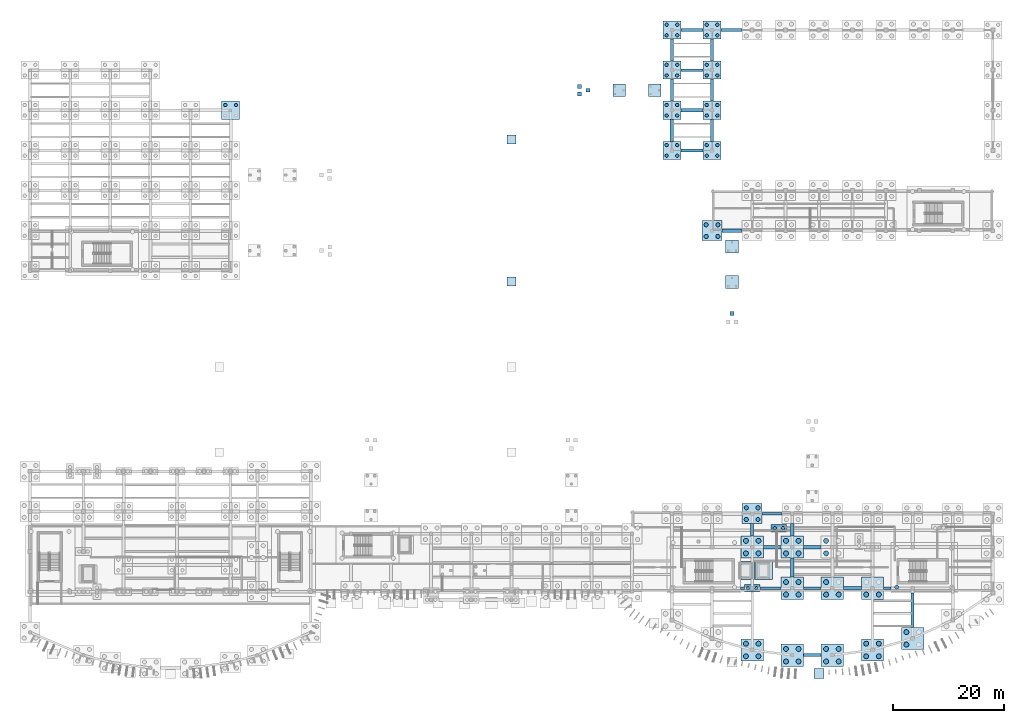
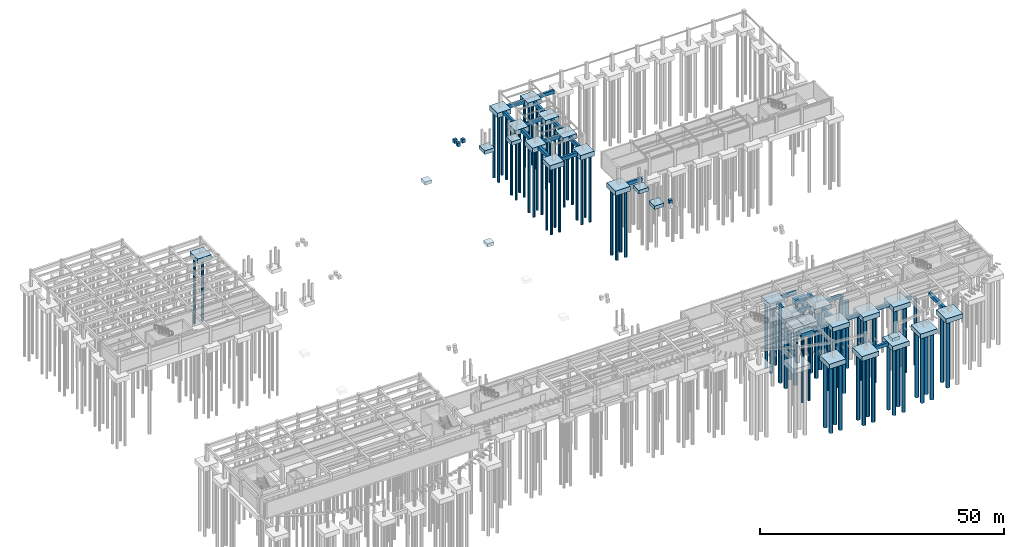
# One storey, part 5 of 31: 84 piles, 61 footings.
"""IFC4 building model written with IfcOpenShell, lengths in metres."""

from ifc_helpers import new_model, si_unit, direction, frame, origin, origin_2d, place, context, subcontext, project, spatial, rectangle, circle, extrude, material, material_profile, profile_set, type_object, element, save


model = new_model("IFC4")

# Units and contexts
model_context = context("Model", 3, precision=1e-05, world=origin(), true_north=direction((0.0, 1.0)))
body_context = subcontext(model_context, "Body", "Model", "MODEL_VIEW")
ifc_project = project(units=[si_unit("LENGTHUNIT", "METRE"), si_unit("AREAUNIT", "SQUARE_METRE"), si_unit("VOLUMEUNIT", "CUBIC_METRE"), si_unit("PLANEANGLEUNIT", "RADIAN"), si_unit("MASSUNIT", "GRAM", prefix="KILO")], contexts=[model_context])

# Site, building, storey
site_placement = place(None, origin())
site = spatial("IfcSite", under=ifc_project, at=site_placement, CompositionType="ELEMENT")
building_placement = place(site_placement, origin())
building = spatial("IfcBuilding", under=site, at=building_placement, Name="Brisavento Harbour Community Centre", CompositionType="ELEMENT")
storey_placement = place(building_placement, frame((0.0, 0.0, -4.199951171875)))
storey = spatial("IfcBuildingStorey", under=building, at=storey_placement, Name="B1", CompositionType="ELEMENT", Elevation=-4.199951171875)

# Footings
ifc_material = material(Name="Concrete C35/45", Category="concrete")
footing_type_1 = type_object("IfcFootingType", Name="FTG-GB-01", PredefinedType="FOOTING_BEAM", material=ifc_material)
footing_1_placement = place(storey_placement, frame((127.85009765625, 15.0, -0.89990234375), z_axis=(0.0, 0.0, 1.0), x_axis=(1.0, 0.0, 0.0)))
element("IfcFooting", 1, at=footing_1_placement, inside=storey, type_object=footing_type_1, Name="Ground tie beam GB-072", PredefinedType="FOOTING_BEAM", context=body_context, shape_type="SweptSolid", body=[
    extrude(rectangle(XDim=0.699951171875, YDim=0.5, at=origin_2d()), origin(), (0.0, 0.0, 1.0), 0.89990234375),
])
footing_2_placement = place(storey_placement, frame((132.89990234375, 15.0, -0.89990234375), z_axis=(0.0, 0.0, 1.0), x_axis=(1.0, 0.0, 0.0)))
element("IfcFooting", 2, at=footing_2_placement, inside=storey, type_object=footing_type_1, Name="Ground tie beam GB-075", PredefinedType="FOOTING_BEAM", context=body_context, shape_type="SweptSolid", body=[
    extrude(rectangle(XDim=3.800048828125, YDim=0.5, at=origin_2d()), origin(), (0.0, 0.0, 1.0), 0.89990234375),
])
footing_3_placement = place(storey_placement, frame((133.199951171875, 28.39990234375, -0.89990234375), z_axis=(0.0, 0.0, 1.0), x_axis=(1.0, 0.0, 0.0)))
element("IfcFooting", 3, at=footing_3_placement, inside=storey, type_object=footing_type_1, Name="Ground tie beam GB-078", PredefinedType="FOOTING_BEAM", context=body_context, shape_type="SweptSolid", body=[
    extrude(rectangle(XDim=3.60009765625, YDim=0.5, at=origin_2d()), origin(), (0.0, 0.0, 1.0), 0.89990234375),
])
footing_4_placement = place(storey_placement, frame((140.39990234375, 15.0, -0.89990234375), z_axis=(0.0, 0.0, 1.0), x_axis=(1.0, 0.0, 0.0)))
element("IfcFooting", 4, at=footing_4_placement, inside=storey, type_object=footing_type_1, Name="Ground tie beam GB-081", PredefinedType="FOOTING_BEAM", context=body_context, shape_type="SweptSolid", body=[
    extrude(rectangle(XDim=3.199951171875, YDim=0.5, at=origin_2d()), origin(), (0.0, 0.0, 1.0), 0.89990234375),
])
footing_5_placement = place(storey_placement, frame((153.85009765625, 15.0, -0.89990234375), z_axis=(0.0, 0.0, 1.0), x_axis=(1.0, 0.0, 0.0)))
element("IfcFooting", 5, at=footing_5_placement, inside=storey, type_object=footing_type_1, Name="Ground tie beam GB-090", PredefinedType="FOOTING_BEAM", context=body_context, shape_type="SweptSolid", body=[
    extrude(rectangle(XDim=1.300048828125, YDim=0.5, at=origin_2d()), origin(), (0.0, 0.0, 1.0), 0.89990234375),
])
footing_6_placement = place(storey_placement, frame((125.91259765625, 115.199951171875, -0.89990234375), z_axis=(0.0, 0.0, 1.0), x_axis=(1.0, 0.0, 0.0)))
element("IfcFooting", 6, at=footing_6_placement, inside=storey, type_object=footing_type_1, Name="Ground tie beam GB-108", PredefinedType="FOOTING_BEAM", context=body_context, shape_type="SweptSolid", body=[
    extrude(rectangle(XDim=3.77490234375, YDim=0.5, at=origin_2d()), origin(), (0.0, 0.0, 1.0), 0.89990234375),
])
for number, where, z_axis, x_axis, name in (
    (7, (122.39990234375, 97.199951171875, -0.89990234375), (0.0, 0.0, 1.0), (1.0, 0.0, 0.0), "Ground tie beam GB-132"),
    (8, (115.199951171875, 104.39990234375, -0.89990234375), (0.0, 0.0, 1.0), (1.0, 0.0, 0.0), "Ground tie beam GB-135"),
):
    element("IfcFooting", number, at=place(storey_placement, frame(where, z_axis=z_axis, x_axis=x_axis)), inside=storey, type_object=footing_type_1, Name=name, PredefinedType="FOOTING_BEAM", context=body_context, shape_type="SweptSolid", body=[
        extrude(rectangle(XDim=0.5, YDim=3.949951171875, at=origin_2d()), origin(), (0.0, 0.0, 1.0), 0.89990234375),
    ])
footing_7_placement = place(storey_placement, frame((118.800048828125, 108.0, -0.89990234375), z_axis=(0.0, 0.0, 1.0), x_axis=(1.0, 0.0, 0.0)))
element("IfcFooting", 9, at=footing_7_placement, inside=storey, type_object=footing_type_1, Name="Ground tie beam GB-138", PredefinedType="FOOTING_BEAM", context=body_context, shape_type="SweptSolid", body=[
    extrude(rectangle(XDim=3.949951171875, YDim=0.5, at=origin_2d()), origin(), (0.0, 0.0, 1.0), 0.89990234375),
])
footing_type_2 = type_object("IfcFootingType", Name="FTG-GB-02", PredefinedType="FOOTING_BEAM", material=ifc_material)
footing_8_placement = place(storey_placement, frame((129.60009765625, 25.5, -0.89990234375), z_axis=(0.0, 0.0, 1.0), x_axis=(1.0, 0.0, 0.0)))
element("IfcFooting", 10, at=footing_8_placement, inside=storey, type_object=footing_type_2, Name="Ground tie beam GB-076", PredefinedType="FOOTING_BEAM", context=body_context, shape_type="SweptSolid", body=[
    extrude(rectangle(XDim=0.550048828125, YDim=2.199951171875, at=origin_2d()), origin(), (0.0, 0.0, 1.0), 0.89990234375),
])
footing_9_placement = place(storey_placement, frame((140.39990234375, 3.0, -0.89990234375), z_axis=(0.0, 0.0, 1.0), x_axis=(1.0, 0.0, 0.0)))
element("IfcFooting", 11, at=footing_9_placement, inside=storey, type_object=footing_type_2, Name="Ground tie beam GB-079", PredefinedType="FOOTING_BEAM", context=body_context, shape_type="SweptSolid", body=[
    extrude(rectangle(XDim=3.199951171875, YDim=0.550048828125, at=origin_2d()), origin(), (0.0, 0.0, 1.0), 0.89990234375),
])
footing_10_placement = place(storey_placement, frame((136.800048828125, 25.5, -0.89990234375), z_axis=(0.0, 0.0, 1.0), x_axis=(1.0, 0.0, 0.0)))
element("IfcFooting", 12, at=footing_10_placement, inside=storey, type_object=footing_type_2, Name="Ground tie beam GB-082", PredefinedType="FOOTING_BEAM", context=body_context, shape_type="SweptSolid", body=[
    extrude(rectangle(XDim=0.550048828125, YDim=2.199951171875, at=origin_2d()), origin(), (0.0, 0.0, 1.0), 0.89990234375),
])
footing_11_placement = place(storey_placement, frame((158.39990234375, 11.08251953125, -0.89990234375), z_axis=(0.0, 0.0, 1.0), x_axis=(1.0, 0.0, 0.0)))
element("IfcFooting", 13, at=footing_11_placement, inside=storey, type_object=footing_type_2, Name="Ground tie beam GB-094", PredefinedType="FOOTING_BEAM", context=body_context, shape_type="SweptSolid", body=[
    extrude(rectangle(XDim=0.550048828125, YDim=6.135009765625, at=origin_2d()), origin(), (0.0, 0.0, 1.0), 0.89990234375),
])
footing_12_placement = place(storey_placement, frame((118.800048828125, 93.60009765625, -0.89990234375), z_axis=(0.0, 0.0, 1.0), x_axis=(1.0, 0.0, 0.0)))
element("IfcFooting", 14, at=footing_12_placement, inside=storey, type_object=footing_type_2, Name="Ground tie beam GB-130", PredefinedType="FOOTING_BEAM", context=body_context, shape_type="SweptSolid", body=[
    extrude(rectangle(XDim=3.949951171875, YDim=0.550048828125, at=origin_2d()), origin(), (0.0, 0.0, 1.0), 0.89990234375),
])
for number, where, z_axis, x_axis, name in (
    (15, (122.39990234375, 104.39990234375, -0.89990234375), (0.0, 0.0, 1.0), (1.0, 0.0, 0.0), "Ground tie beam GB-136"),
    (16, (115.199951171875, 111.60009765625, -0.89990234375), (0.0, 0.0, 1.0), (1.0, 0.0, 0.0), "Ground tie beam GB-139"),
):
    element("IfcFooting", number, at=place(storey_placement, frame(where, z_axis=z_axis, x_axis=x_axis)), inside=storey, type_object=footing_type_2, Name=name, PredefinedType="FOOTING_BEAM", context=body_context, shape_type="SweptSolid", body=[
        extrude(rectangle(XDim=0.550048828125, YDim=3.949951171875, at=origin_2d()), origin(), (0.0, 0.0, 1.0), 0.89990234375),
    ])
footing_13_placement = place(storey_placement, frame((118.800048828125, 115.199951171875, -0.89990234375), z_axis=(0.0, 0.0, 1.0), x_axis=(1.0, 0.0, 0.0)))
element("IfcFooting", 17, at=footing_13_placement, inside=storey, type_object=footing_type_2, Name="Ground tie beam GB-142", PredefinedType="FOOTING_BEAM", context=body_context, shape_type="SweptSolid", body=[
    extrude(rectangle(XDim=3.949951171875, YDim=0.550048828125, at=origin_2d()), origin(), (0.0, 0.0, 1.0), 0.89990234375),
])
footing_type_3 = type_object("IfcFootingType", Name="FTG-GB-03", PredefinedType="FOOTING_BEAM", material=ifc_material)
footing_14_placement = place(storey_placement, frame((133.199951171875, 22.39990234375, -0.89990234375), z_axis=(0.0, 0.0, 1.0), x_axis=(1.0, 0.0, 0.0)))
element("IfcFooting", 18, at=footing_14_placement, inside=storey, type_object=footing_type_3, Name="Ground tie beam GB-077", PredefinedType="FOOTING_BEAM", context=body_context, shape_type="SweptSolid", body=[
    extrude(rectangle(XDim=3.199951171875, YDim=0.60009765625, at=origin_2d()), origin(), (0.0, 0.0, 1.0), 0.89990234375),
])
footing_15_placement = place(storey_placement, frame((136.800048828125, 18.699951171875, -0.89990234375), z_axis=(0.0, 0.0, 1.0), x_axis=(1.0, 0.0, 0.0)))
element("IfcFooting", 19, at=footing_15_placement, inside=storey, type_object=footing_type_3, Name="Ground tie beam GB-080", PredefinedType="FOOTING_BEAM", context=body_context, shape_type="SweptSolid", body=[
    extrude(rectangle(XDim=0.60009765625, YDim=3.39990234375, at=origin_2d()), origin(), (0.0, 0.0, 1.0), 0.89990234375),
])
for number, where, z_axis, x_axis, name in (
    (20, (140.39990234375, 22.39990234375, -0.89990234375), (0.0, 0.0, 1.0), (1.0, 0.0, 0.0), "Ground tie beam GB-083"),
    (21, (147.60009765625, 15.0, -0.89990234375), (0.0, 0.0, 1.0), (1.0, 0.0, 0.0), "Ground tie beam GB-086"),
):
    element("IfcFooting", number, at=place(storey_placement, frame(where, z_axis=z_axis, x_axis=x_axis)), inside=storey, type_object=footing_type_3, Name=name, PredefinedType="FOOTING_BEAM", context=body_context, shape_type="SweptSolid", body=[
        extrude(rectangle(XDim=3.199951171875, YDim=0.60009765625, at=origin_2d()), origin(), (0.0, 0.0, 1.0), 0.89990234375),
    ])
footing_16_placement = place(storey_placement, frame((126.0, 79.199951171875, -0.89990234375), z_axis=(0.0, 0.0, 1.0), x_axis=(1.0, 0.0, 0.0)))
element("IfcFooting", 22, at=footing_16_placement, inside=storey, type_object=footing_type_3, Name="Ground tie beam GB-110", PredefinedType="FOOTING_BEAM", context=body_context, shape_type="SweptSolid", body=[
    extrude(rectangle(XDim=3.60009765625, YDim=0.60009765625, at=origin_2d()), origin(), (0.0, 0.0, 1.0), 0.89990234375),
])
footing_17_placement = place(storey_placement, frame((115.199951171875, 97.199951171875, -0.89990234375), z_axis=(0.0, 0.0, 1.0), x_axis=(1.0, 0.0, 0.0)))
element("IfcFooting", 23, at=footing_17_placement, inside=storey, type_object=footing_type_3, Name="Ground tie beam GB-131", PredefinedType="FOOTING_BEAM", context=body_context, shape_type="SweptSolid", body=[
    extrude(rectangle(XDim=0.60009765625, YDim=3.949951171875, at=origin_2d()), origin(), (0.0, 0.0, 1.0), 0.89990234375),
])
footing_18_placement = place(storey_placement, frame((118.800048828125, 100.800048828125, -0.89990234375), z_axis=(0.0, 0.0, 1.0), x_axis=(1.0, 0.0, 0.0)))
element("IfcFooting", 24, at=footing_18_placement, inside=storey, type_object=footing_type_3, Name="Ground tie beam GB-134", PredefinedType="FOOTING_BEAM", context=body_context, shape_type="SweptSolid", body=[
    extrude(rectangle(XDim=3.949951171875, YDim=0.60009765625, at=origin_2d()), origin(), (0.0, 0.0, 1.0), 0.89990234375),
])
footing_19_placement = place(storey_placement, frame((122.39990234375, 111.60009765625, -0.89990234375), z_axis=(0.0, 0.0, 1.0), x_axis=(1.0, 0.0, 0.0)))
element("IfcFooting", 25, at=footing_19_placement, inside=storey, type_object=footing_type_3, Name="Ground tie beam GB-140", PredefinedType="FOOTING_BEAM", context=body_context, shape_type="SweptSolid", body=[
    extrude(rectangle(XDim=0.60009765625, YDim=3.949951171875, at=origin_2d()), origin(), (0.0, 0.0, 1.0), 0.89990234375),
])
footing_type_4 = type_object("IfcFootingType", Name="FTG-LP-LC-02", PredefinedType="PILE_CAP", material=ifc_material)
footing_20_placement = place(storey_placement, frame((128.79248046875, 18.199951171875, -1.2001953125), z_axis=(0.0, 0.0, 1.0), x_axis=(1.0, 0.0, 0.0)))
element("IfcFooting", 26, at=footing_20_placement, inside=storey, type_object=footing_type_4, Name="Lift LC-02 shaft pit foundation", PredefinedType="PILE_CAP", context=body_context, shape_type="SweptSolid", body=[
    extrude(rectangle(XDim=2.465087890625, YDim=3.25, at=origin_2d()), origin(), (0.0, 0.0, 1.0), 1.199951171875),
])
footing_type_5 = type_object("IfcFootingType", Name="FTG-LP-LC-03", PredefinedType="PILE_CAP", material=ifc_material)
footing_21_placement = place(storey_placement, frame((131.655029296875, 18.199951171875, -1.2001953125), z_axis=(0.0, 0.0, 1.0), x_axis=(1.0, 0.0, 0.0)))
element("IfcFooting", 27, at=footing_21_placement, inside=storey, type_object=footing_type_5, Name="Lift LC-03 shaft pit foundation", PredefinedType="PILE_CAP", context=body_context, shape_type="SweptSolid", body=[
    extrude(rectangle(XDim=3.139892578125, YDim=3.25, at=origin_2d()), origin(), (0.0, 0.0, 1.0), 1.199951171875),
])
footing_type_6 = type_object("IfcFootingType", Name="FTG-MST-MST-03-MID", PredefinedType="PAD_FOOTING", material=ifc_material)
footing_22_placement = place(storey_placement, frame((126.0, 69.955078125, -0.89990234375), z_axis=(0.0, 0.0, 1.0), x_axis=(1.0, 0.0, 0.0)))
element("IfcFooting", 28, at=footing_22_placement, inside=storey, type_object=footing_type_6, Name="MST-03 MID landing pad footing", PredefinedType="PAD_FOOTING", context=body_context, shape_type="SweptSolid", body=[
    extrude(rectangle(XDim=2.300048828125, YDim=2.300048828125, at=origin_2d()), origin(), (0.0, 0.0, 1.0), 0.89990234375),
])
footing_type_7 = type_object("IfcFootingType", Name="FTG-MST-MST-03-TOP", PredefinedType="PAD_FOOTING", material=ifc_material)
footing_23_placement = place(storey_placement, frame((126.0, 76.344970703125, -0.89990234375), z_axis=(0.0, 0.0, 1.0), x_axis=(1.0, 0.0, 0.0)))
element("IfcFooting", 29, at=footing_23_placement, inside=storey, type_object=footing_type_7, Name="MST-03 TOP landing pad footing", PredefinedType="PAD_FOOTING", context=body_context, shape_type="SweptSolid", body=[
    extrude(rectangle(XDim=2.300048828125, YDim=2.300048828125, at=origin_2d()), origin(), (0.0, 0.0, 1.0), 0.89990234375),
])
footing_type_8 = type_object("IfcFootingType", Name="FTG-MST-MST-06-MID", PredefinedType="PAD_FOOTING", material=ifc_material)
footing_24_placement = place(storey_placement, frame((105.7451171875, 104.39990234375, -0.89990234375), z_axis=(0.0, 0.0, 1.0), x_axis=(1.0, 0.0, 0.0)))
element("IfcFooting", 30, at=footing_24_placement, inside=storey, type_object=footing_type_8, Name="MST-06 MID landing pad footing", PredefinedType="PAD_FOOTING", context=body_context, shape_type="SweptSolid", body=[
    extrude(rectangle(XDim=2.300048828125, YDim=2.300048828125, at=origin_2d()), origin(), (0.0, 0.0, 1.0), 0.89990234375),
])
footing_type_9 = type_object("IfcFootingType", Name="FTG-MST-MST-06-TOP", PredefinedType="PAD_FOOTING", material=ifc_material)
footing_25_placement = place(storey_placement, frame((112.114990234375, 104.39990234375, -0.89990234375), z_axis=(0.0, 0.0, 1.0), x_axis=(1.0, 0.0, 0.0)))
element("IfcFooting", 31, at=footing_25_placement, inside=storey, type_object=footing_type_9, Name="MST-06 TOP landing pad footing", PredefinedType="PAD_FOOTING", context=body_context, shape_type="SweptSolid", body=[
    extrude(rectangle(XDim=2.300048828125, YDim=2.300048828125, at=origin_2d()), origin(), (0.0, 0.0, 1.0), 0.89990234375),
])
footing_type_10 = type_object("IfcFootingType", Name="FTG-PC-2A", PredefinedType="PILE_CAP", material=ifc_material)
for number, where, z_axis, x_axis, name in (
    (32, (129.60009765625, 15.0, -1.2001953125), (0.0, 0.0, 1.0), (1.0, 0.0, 0.0), "Pile cap PC-070"),
    (33, (134.39990234375, 25.800048828125, -1.2001953125), (0.0, 0.0, 1.0), (1.0, 0.0, 0.0), "Pile cap PC-097"),
):
    element("IfcFooting", number, at=place(storey_placement, frame(where, z_axis=z_axis, x_axis=x_axis)), inside=storey, type_object=footing_type_10, Name=name, PredefinedType="PILE_CAP", context=body_context, shape_type="SweptSolid", body=[
        extrude(rectangle(XDim=2.800048828125, YDim=1.39990234375, at=origin_2d()), origin(), (0.0, 0.0, 1.0), 1.199951171875),
    ])
footing_type_11 = type_object("IfcFootingType", Name="FTG-PC-4A", PredefinedType="PILE_CAP", material=ifc_material)
for number, where, z_axis, x_axis, name in (
    (34, (115.199951171875, 93.60009765625, -1.2001953125), (0.0, 0.0, 1.0), (1.0, 0.0, 0.0), "Pile cap PC-124"),
    (35, (122.39990234375, 93.60009765625, -1.2001953125), (0.0, 0.0, 1.0), (1.0, 0.0, 0.0), "Pile cap PC-125"),
    (36, (115.199951171875, 100.800048828125, -1.2001953125), (0.0, 0.0, 1.0), (1.0, 0.0, 0.0), "Pile cap PC-127"),
    (37, (122.39990234375, 100.800048828125, -1.2001953125), (0.0, 0.0, 1.0), (1.0, 0.0, 0.0), "Pile cap PC-128"),
    (38, (115.199951171875, 108.0, -1.2001953125), (0.0, 0.0, 1.0), (1.0, 0.0, 0.0), "Pile cap PC-130"),
    (39, (122.39990234375, 108.0, -1.2001953125), (0.0, 0.0, 1.0), (1.0, 0.0, 0.0), "Pile cap PC-131"),
    (40, (115.199951171875, 115.199951171875, -1.2001953125), (0.0, 0.0, 1.0), (1.0, 0.0, 0.0), "Pile cap PC-133"),
    (41, (122.39990234375, 115.199951171875, -1.2001953125), (0.0, 0.0, 1.0), (1.0, 0.0, 0.0), "Pile cap PC-134"),
    (42, (36.0, 100.800048828125, -1.2001953125), (0.0, 0.0, 1.0), (1.0, 0.0, 0.0), "Pile cap PC-167"),
):
    element("IfcFooting", number, at=place(storey_placement, frame(where, z_axis=z_axis, x_axis=x_axis)), inside=storey, type_object=footing_type_11, Name=name, PredefinedType="PILE_CAP", context=body_context, shape_type="SweptSolid", body=[
        extrude(rectangle(XDim=3.25, YDim=3.25, at=origin_2d()), origin(), (0.0, 0.0, 1.0), 1.199951171875),
    ])
footing_type_12 = type_object("IfcFootingType", Name="FTG-PC-4B", PredefinedType="PILE_CAP", material=ifc_material)
for number, where, z_axis, x_axis, name in (
    (43, (129.60009765625, 28.39990234375, -1.2001953125), (0.0, 0.0, 1.0), (1.0, 0.0, 0.0), "Pile cap PC-072"),
    (44, (122.39990234375, 79.199951171875, -1.2001953125), (0.0, 0.0, 1.0), (1.0, 0.0, 0.0), "Pile cap PC-136"),
):
    element("IfcFooting", number, at=place(storey_placement, frame(where, z_axis=z_axis, x_axis=x_axis)), inside=storey, type_object=footing_type_12, Name=name, PredefinedType="PILE_CAP", context=body_context, shape_type="SweptSolid", body=[
        extrude(rectangle(XDim=3.60009765625, YDim=3.60009765625, at=origin_2d()), origin(), (0.0, 0.0, 1.0), 1.199951171875),
    ])
footing_type_13 = type_object("IfcFootingType", Name="FTG-PC-4C", PredefinedType="PILE_CAP", material=ifc_material)
for number, where, z_axis, x_axis, name in (
    (45, (129.60009765625, 3.93408203125, -1.2001953125), (0.0, 0.0, 1.0), (1.0, 0.0, 0.0), "Pile cap PC-069"),
    (46, (129.60009765625, 22.39990234375, -1.2001953125), (0.0, 0.0, 1.0), (1.0, 0.0, 0.0), "Pile cap PC-071"),
    (47, (136.800048828125, 3.0, -1.2001953125), (0.0, 0.0, 1.0), (1.0, 0.0, 0.0), "Pile cap PC-073"),
    (48, (136.800048828125, 15.0, -1.2001953125), (0.0, 0.0, 1.0), (1.0, 0.0, 0.0), "Pile cap PC-074"),
    (49, (136.800048828125, 22.39990234375, -1.2001953125), (0.0, 0.0, 1.0), (1.0, 0.0, 0.0), "Pile cap PC-075"),
    (50, (144.0, 3.0, -1.2001953125), (0.0, 0.0, 1.0), (1.0, 0.0, 0.0), "Pile cap PC-077"),
    (51, (144.0, 15.0, -1.2001953125), (0.0, 0.0, 1.0), (1.0, 0.0, 0.0), "Pile cap PC-078"),
    (52, (151.199951171875, 3.93408203125, -1.2001953125), (0.0, 0.0, 1.0), (1.0, 0.0, 0.0), "Pile cap PC-081"),
    (53, (151.199951171875, 15.0, -1.2001953125), (0.0, 0.0, 1.0), (1.0, 0.0, 0.0), "Pile cap PC-082"),
    (54, (158.39990234375, 6.014892578125, -1.2001953125), (0.0, 0.0, 1.0), (1.0, 0.0, 0.0), "Pile cap PC-085"),
):
    element("IfcFooting", number, at=place(storey_placement, frame(where, z_axis=z_axis, x_axis=x_axis)), inside=storey, type_object=footing_type_13, Name=name, PredefinedType="PILE_CAP", context=body_context, shape_type="SweptSolid", body=[
        extrude(rectangle(XDim=4.0, YDim=4.0, at=origin_2d()), origin(), (0.0, 0.0, 1.0), 1.199951171875),
    ])
footing_type_14 = type_object("IfcFootingType", Name="FTG-PF-05", PredefinedType="PAD_FOOTING", material=ifc_material)
footing_26_placement = place(storey_placement, frame((141.60009765625, -0.300048828125, 2.97998046875), z_axis=(0.0, 0.0, 1.0), x_axis=(1.0, 0.0, 0.0)))
element("IfcFooting", 55, at=footing_26_placement, inside=storey, type_object=footing_type_14, Name="Colonnade plinth pad footing V3-2", PredefinedType="PAD_FOOTING", context=body_context, shape_type="SweptSolid", body=[
    extrude(rectangle(XDim=1.800048828125, YDim=1.800048828125, at=origin_2d()), origin(), (0.0, 0.0, 1.0), 0.800048828125),
])
footing_type_15 = type_object("IfcFootingType", Name="FTG-PF-06", PredefinedType="PAD_FOOTING", material=ifc_material)
for number, where, z_axis, x_axis, name in (
    (56, (86.39990234375, 70.054931640625, 3.19970703125), (0.0, 0.0, 1.0), (1.0, 0.0, 0.0), "Courtyard plaza grade pad footing 04"),
    (57, (86.39990234375, 95.580078125, 3.19970703125), (0.0, 0.0, 1.0), (1.0, 0.0, 0.0), "Courtyard plaza grade pad footing 05"),
):
    element("IfcFooting", number, at=place(storey_placement, frame(where, z_axis=z_axis, x_axis=x_axis)), inside=storey, type_object=footing_type_15, Name=name, PredefinedType="PAD_FOOTING", context=body_context, shape_type="SweptSolid", body=[
        extrude(rectangle(XDim=1.60009765625, YDim=1.60009765625, at=origin_2d()), origin(), (0.0, 0.0, 1.0), 0.800048828125),
    ])
footing_type_16 = type_object("IfcFootingType", Name="FTG-PF-07", PredefinedType="PAD_FOOTING", material=ifc_material)
for number, where, z_axis, x_axis, name in (
    (58, (126.0, 64.320068359375, 3.10009765625), (0.0, 0.0, 1.0), (1.0, 0.0, 0.0), "MST-03 BOT support footing 3"),
    (59, (98.6298828125, 103.719970703125, 3.10009765625), (0.0, 0.0, 1.0), (1.0, 0.0, 0.0), "MST-06 BOT support footing 1"),
    (60, (98.6298828125, 105.080078125, 3.10009765625), (0.0, 0.0, 1.0), (1.0, 0.0, 0.0), "MST-06 BOT support footing 2"),
    (61, (100.1201171875, 104.39990234375, 3.10009765625), (0.0, 0.0, 1.0), (1.0, 0.0, 0.0), "MST-06 BOT support footing 3"),
):
    element("IfcFooting", number, at=place(storey_placement, frame(where, z_axis=z_axis, x_axis=x_axis)), inside=storey, type_object=footing_type_16, Name=name, PredefinedType="PAD_FOOTING", context=body_context, shape_type="SweptSolid", body=[
        extrude(rectangle(XDim=0.699951171875, YDim=0.699951171875, at=origin_2d()), origin(), (0.0, 0.0, 1.0), 0.89990234375),
    ])

# Piles
ifc_material_profile_1 = material_profile(ifc_material, circle(Radius=0.300048828125, at=origin_2d()), Name="Concrete C35/45")
ifc_profile_set_1 = profile_set([ifc_material_profile_1], Name="Concrete C35/45")
pile_type_1 = type_object("IfcPileType", Name="PILE-600", PredefinedType="BORED", material=ifc_profile_set_1)
for number, where, z_axis, x_axis, name in (
    (62, (128.85009765625, 15.0, -1.10009765625), (0.0, 0.0, -1.0), (1.0, 0.0, 0.0), "Bored pile PC-070-P1"),
    (63, (130.35009765625, 15.0, -1.10009765625), (0.0, 0.0, -1.0), (1.0, 0.0, 0.0), "Bored pile PC-070-P2"),
    (64, (133.64990234375, 25.800048828125, -1.10009765625), (0.0, 0.0, -1.0), (1.0, 0.0, 0.0), "Bored pile PC-097-P1"),
    (65, (135.14990234375, 25.800048828125, -1.10009765625), (0.0, 0.0, -1.0), (1.0, 0.0, 0.0), "Bored pile PC-097-P2"),
    (66, (114.25, 92.64990234375, -1.10009765625), (0.0, 0.0, -1.0), (1.0, 0.0, 0.0), "Bored pile PC-124-P1"),
    (67, (116.14990234375, 92.64990234375, -1.10009765625), (0.0, 0.0, -1.0), (1.0, 0.0, 0.0), "Bored pile PC-124-P2"),
    (68, (114.25, 94.550048828125, -1.10009765625), (0.0, 0.0, -1.0), (1.0, 0.0, 0.0), "Bored pile PC-124-P3"),
    (69, (116.14990234375, 94.550048828125, -1.10009765625), (0.0, 0.0, -1.0), (1.0, 0.0, 0.0), "Bored pile PC-124-P4"),
    (70, (121.449951171875, 92.64990234375, -1.10009765625), (0.0, 0.0, -1.0), (1.0, 0.0, 0.0), "Bored pile PC-125-P1"),
    (71, (123.35009765625, 92.64990234375, -1.10009765625), (0.0, 0.0, -1.0), (1.0, 0.0, 0.0), "Bored pile PC-125-P2"),
    (72, (121.449951171875, 94.550048828125, -1.10009765625), (0.0, 0.0, -1.0), (1.0, 0.0, 0.0), "Bored pile PC-125-P3"),
    (73, (123.35009765625, 94.550048828125, -1.10009765625), (0.0, 0.0, -1.0), (1.0, 0.0, 0.0), "Bored pile PC-125-P4"),
    (74, (114.25, 99.85009765625, -1.10009765625), (0.0, 0.0, -1.0), (1.0, 0.0, 0.0), "Bored pile PC-127-P1"),
    (75, (116.14990234375, 99.85009765625, -1.10009765625), (0.0, 0.0, -1.0), (1.0, 0.0, 0.0), "Bored pile PC-127-P2"),
    (76, (114.25, 101.75, -1.10009765625), (0.0, 0.0, -1.0), (1.0, 0.0, 0.0), "Bored pile PC-127-P3"),
    (77, (116.14990234375, 101.75, -1.10009765625), (0.0, 0.0, -1.0), (1.0, 0.0, 0.0), "Bored pile PC-127-P4"),
    (78, (121.449951171875, 99.85009765625, -1.10009765625), (0.0, 0.0, -1.0), (1.0, 0.0, 0.0), "Bored pile PC-128-P1"),
    (79, (123.35009765625, 99.85009765625, -1.10009765625), (0.0, 0.0, -1.0), (1.0, 0.0, 0.0), "Bored pile PC-128-P2"),
    (80, (121.449951171875, 101.75, -1.10009765625), (0.0, 0.0, -1.0), (1.0, 0.0, 0.0), "Bored pile PC-128-P3"),
    (81, (123.35009765625, 101.75, -1.10009765625), (0.0, 0.0, -1.0), (1.0, 0.0, 0.0), "Bored pile PC-128-P4"),
    (82, (114.25, 107.050048828125, -1.10009765625), (0.0, 0.0, -1.0), (1.0, 0.0, 0.0), "Bored pile PC-130-P1"),
    (83, (116.14990234375, 107.050048828125, -1.10009765625), (0.0, 0.0, -1.0), (1.0, 0.0, 0.0), "Bored pile PC-130-P2"),
    (84, (114.25, 108.949951171875, -1.10009765625), (0.0, 0.0, -1.0), (1.0, 0.0, 0.0), "Bored pile PC-130-P3"),
    (85, (116.14990234375, 108.949951171875, -1.10009765625), (0.0, 0.0, -1.0), (1.0, 0.0, 0.0), "Bored pile PC-130-P4"),
    (86, (121.449951171875, 107.050048828125, -1.10009765625), (0.0, 0.0, -1.0), (1.0, 0.0, 0.0), "Bored pile PC-131-P1"),
    (87, (123.35009765625, 107.050048828125, -1.10009765625), (0.0, 0.0, -1.0), (1.0, 0.0, 0.0), "Bored pile PC-131-P2"),
    (88, (121.449951171875, 108.949951171875, -1.10009765625), (0.0, 0.0, -1.0), (1.0, 0.0, 0.0), "Bored pile PC-131-P3"),
    (89, (123.35009765625, 108.949951171875, -1.10009765625), (0.0, 0.0, -1.0), (1.0, 0.0, 0.0), "Bored pile PC-131-P4"),
    (90, (114.25, 114.25, -1.10009765625), (0.0, 0.0, -1.0), (1.0, 0.0, 0.0), "Bored pile PC-133-P1"),
    (91, (116.14990234375, 114.25, -1.10009765625), (0.0, 0.0, -1.0), (1.0, 0.0, 0.0), "Bored pile PC-133-P2"),
    (92, (114.25, 116.14990234375, -1.10009765625), (0.0, 0.0, -1.0), (1.0, 0.0, 0.0), "Bored pile PC-133-P3"),
    (93, (116.14990234375, 116.14990234375, -1.10009765625), (0.0, 0.0, -1.0), (1.0, 0.0, 0.0), "Bored pile PC-133-P4"),
    (94, (121.449951171875, 114.25, -1.10009765625), (0.0, 0.0, -1.0), (1.0, 0.0, 0.0), "Bored pile PC-134-P1"),
    (95, (123.35009765625, 114.25, -1.10009765625), (0.0, 0.0, -1.0), (1.0, 0.0, 0.0), "Bored pile PC-134-P2"),
    (96, (121.449951171875, 116.14990234375, -1.10009765625), (0.0, 0.0, -1.0), (1.0, 0.0, 0.0), "Bored pile PC-134-P3"),
    (97, (123.35009765625, 116.14990234375, -1.10009765625), (0.0, 0.0, -1.0), (1.0, 0.0, 0.0), "Bored pile PC-134-P4"),
    (98, (35.050048828125, 101.75, -1.10009765625), (0.0, 0.0, -1.0), (1.0, 0.0, 0.0), "Bored pile PC-167-P3"),
    (99, (36.949951171875, 101.75, -1.10009765625), (0.0, 0.0, -1.0), (1.0, 0.0, 0.0), "Bored pile PC-167-P4"),
):
    element("IfcPile", number, at=place(storey_placement, frame(where, z_axis=z_axis, x_axis=x_axis)), inside=storey, type_object=pile_type_1, Name=name, PredefinedType="BORED", context=body_context, shape_type="SweptSolid", body=[
        extrude(circle(Radius=0.300048828125, at=origin_2d()), origin(), (0.0, 0.0, 1.0), 16.699951171875),
    ])
ifc_material_profile_2 = material_profile(ifc_material, circle(Radius=0.375, at=origin_2d()), Name="Concrete C35/45")
ifc_profile_set_2 = profile_set([ifc_material_profile_2], Name="Concrete C35/45")
pile_type_2 = type_object("IfcPileType", Name="PILE-750", PredefinedType="BORED", material=ifc_profile_set_2)
for number, where, z_axis, x_axis, name in (
    (100, (155.550048828125, 15.199951171875, -1.10009765625), (0.0, 0.0, -1.0), (1.0, 0.0, 0.0), "Core C3B bored pile P1"),
    (101, (128.550048828125, 27.35009765625, -1.10009765625), (0.0, 0.0, -1.0), (1.0, 0.0, 0.0), "Bored pile PC-072-P1"),
    (102, (130.64990234375, 27.35009765625, -1.10009765625), (0.0, 0.0, -1.0), (1.0, 0.0, 0.0), "Bored pile PC-072-P2"),
    (103, (128.550048828125, 29.449951171875, -1.10009765625), (0.0, 0.0, -1.0), (1.0, 0.0, 0.0), "Bored pile PC-072-P3"),
    (104, (130.64990234375, 29.449951171875, -1.10009765625), (0.0, 0.0, -1.0), (1.0, 0.0, 0.0), "Bored pile PC-072-P4"),
    (105, (121.35009765625, 78.14990234375, -1.10009765625), (0.0, 0.0, -1.0), (1.0, 0.0, 0.0), "Bored pile PC-136-P1"),
    (106, (123.449951171875, 78.14990234375, -1.10009765625), (0.0, 0.0, -1.0), (1.0, 0.0, 0.0), "Bored pile PC-136-P2"),
    (107, (121.35009765625, 80.25, -1.10009765625), (0.0, 0.0, -1.0), (1.0, 0.0, 0.0), "Bored pile PC-136-P3"),
    (108, (123.449951171875, 80.25, -1.10009765625), (0.0, 0.0, -1.0), (1.0, 0.0, 0.0), "Bored pile PC-136-P4"),
):
    element("IfcPile", number, at=place(storey_placement, frame(where, z_axis=z_axis, x_axis=x_axis)), inside=storey, type_object=pile_type_2, Name=name, PredefinedType="BORED", context=body_context, shape_type="SweptSolid", body=[
        extrude(circle(Radius=0.375, at=origin_2d()), origin(), (0.0, 0.0, 1.0), 16.699951171875),
    ])
ifc_material_profile_3 = material_profile(ifc_material, circle(Radius=0.449951171875, at=origin_2d()), Name="Concrete C35/45")
ifc_profile_set_3 = profile_set([ifc_material_profile_3], Name="Concrete C35/45")
pile_type_3 = type_object("IfcPileType", Name="PILE-900", PredefinedType="BORED", material=ifc_profile_set_3)
for number, where, z_axis, x_axis, name in (
    (109, (128.47509765625, 2.80908203125, -1.10009765625), (0.0, 0.0, -1.0), (1.0, 0.0, 0.0), "Bored pile PC-069-P1"),
    (110, (130.72509765625, 2.80908203125, -1.10009765625), (0.0, 0.0, -1.0), (1.0, 0.0, 0.0), "Bored pile PC-069-P2"),
    (111, (128.47509765625, 5.05908203125, -1.10009765625), (0.0, 0.0, -1.0), (1.0, 0.0, 0.0), "Bored pile PC-069-P3"),
    (112, (130.72509765625, 5.05908203125, -1.10009765625), (0.0, 0.0, -1.0), (1.0, 0.0, 0.0), "Bored pile PC-069-P4"),
    (113, (128.47509765625, 21.27490234375, -1.10009765625), (0.0, 0.0, -1.0), (1.0, 0.0, 0.0), "Bored pile PC-071-P1"),
    (114, (130.72509765625, 21.27490234375, -1.10009765625), (0.0, 0.0, -1.0), (1.0, 0.0, 0.0), "Bored pile PC-071-P2"),
    (115, (128.47509765625, 23.52490234375, -1.10009765625), (0.0, 0.0, -1.0), (1.0, 0.0, 0.0), "Bored pile PC-071-P3"),
    (116, (130.72509765625, 23.52490234375, -1.10009765625), (0.0, 0.0, -1.0), (1.0, 0.0, 0.0), "Bored pile PC-071-P4"),
    (117, (135.675048828125, 1.875, -1.10009765625), (0.0, 0.0, -1.0), (1.0, 0.0, 0.0), "Bored pile PC-073-P1"),
    (118, (137.925048828125, 1.875, -1.10009765625), (0.0, 0.0, -1.0), (1.0, 0.0, 0.0), "Bored pile PC-073-P2"),
    (119, (135.675048828125, 4.125, -1.10009765625), (0.0, 0.0, -1.0), (1.0, 0.0, 0.0), "Bored pile PC-073-P3"),
    (120, (137.925048828125, 4.125, -1.10009765625), (0.0, 0.0, -1.0), (1.0, 0.0, 0.0), "Bored pile PC-073-P4"),
    (121, (135.675048828125, 13.875, -1.10009765625), (0.0, 0.0, -1.0), (1.0, 0.0, 0.0), "Bored pile PC-074-P1"),
    (122, (137.925048828125, 13.875, -1.10009765625), (0.0, 0.0, -1.0), (1.0, 0.0, 0.0), "Bored pile PC-074-P2"),
    (123, (135.675048828125, 16.125, -1.10009765625), (0.0, 0.0, -1.0), (1.0, 0.0, 0.0), "Bored pile PC-074-P3"),
    (124, (137.925048828125, 16.125, -1.10009765625), (0.0, 0.0, -1.0), (1.0, 0.0, 0.0), "Bored pile PC-074-P4"),
    (125, (135.675048828125, 21.27490234375, -1.10009765625), (0.0, 0.0, -1.0), (1.0, 0.0, 0.0), "Bored pile PC-075-P1"),
    (126, (137.925048828125, 21.27490234375, -1.10009765625), (0.0, 0.0, -1.0), (1.0, 0.0, 0.0), "Bored pile PC-075-P2"),
    (127, (135.675048828125, 23.52490234375, -1.10009765625), (0.0, 0.0, -1.0), (1.0, 0.0, 0.0), "Bored pile PC-075-P3"),
    (128, (137.925048828125, 23.52490234375, -1.10009765625), (0.0, 0.0, -1.0), (1.0, 0.0, 0.0), "Bored pile PC-075-P4"),
    (129, (142.875, 1.875, -1.10009765625), (0.0, 0.0, -1.0), (1.0, 0.0, 0.0), "Bored pile PC-077-P1"),
    (130, (145.125, 1.875, -1.10009765625), (0.0, 0.0, -1.0), (1.0, 0.0, 0.0), "Bored pile PC-077-P2"),
    (131, (142.875, 4.125, -1.10009765625), (0.0, 0.0, -1.0), (1.0, 0.0, 0.0), "Bored pile PC-077-P3"),
    (132, (145.125, 4.125, -1.10009765625), (0.0, 0.0, -1.0), (1.0, 0.0, 0.0), "Bored pile PC-077-P4"),
    (133, (142.875, 13.875, -1.10009765625), (0.0, 0.0, -1.0), (1.0, 0.0, 0.0), "Bored pile PC-078-P1"),
    (134, (145.125, 13.875, -1.10009765625), (0.0, 0.0, -1.0), (1.0, 0.0, 0.0), "Bored pile PC-078-P2"),
    (135, (142.875, 16.125, -1.10009765625), (0.0, 0.0, -1.0), (1.0, 0.0, 0.0), "Bored pile PC-078-P3"),
    (136, (142.875, 21.27490234375, -1.10009765625), (0.0, 0.0, -1.0), (1.0, 0.0, 0.0), "Bored pile PC-079-P1"),
    (137, (142.875, 23.52490234375, -1.10009765625), (0.0, 0.0, -1.0), (1.0, 0.0, 0.0), "Bored pile PC-079-P3"),
    (138, (150.074951171875, 2.80908203125, -1.10009765625), (0.0, 0.0, -1.0), (1.0, 0.0, 0.0), "Bored pile PC-081-P1"),
    (139, (152.324951171875, 2.80908203125, -1.10009765625), (0.0, 0.0, -1.0), (1.0, 0.0, 0.0), "Bored pile PC-081-P2"),
    (140, (150.074951171875, 5.05908203125, -1.10009765625), (0.0, 0.0, -1.0), (1.0, 0.0, 0.0), "Bored pile PC-081-P3"),
    (141, (152.324951171875, 5.05908203125, -1.10009765625), (0.0, 0.0, -1.0), (1.0, 0.0, 0.0), "Bored pile PC-081-P4"),
    (142, (150.074951171875, 13.875, -1.10009765625), (0.0, 0.0, -1.0), (1.0, 0.0, 0.0), "Bored pile PC-082-P1"),
    (143, (152.324951171875, 13.875, -1.10009765625), (0.0, 0.0, -1.0), (1.0, 0.0, 0.0), "Bored pile PC-082-P2"),
    (144, (157.27490234375, 4.889892578125, -1.10009765625), (0.0, 0.0, -1.0), (1.0, 0.0, 0.0), "Bored pile PC-085-P1"),
    (145, (157.27490234375, 7.139892578125, -1.10009765625), (0.0, 0.0, -1.0), (1.0, 0.0, 0.0), "Bored pile PC-085-P3"),
):
    element("IfcPile", number, at=place(storey_placement, frame(where, z_axis=z_axis, x_axis=x_axis)), inside=storey, type_object=pile_type_3, Name=name, PredefinedType="BORED", context=body_context, shape_type="SweptSolid", body=[
        extrude(circle(Radius=0.449951171875, at=origin_2d()), origin(), (0.0, 0.0, 1.0), 16.699951171875),
    ])

save(model, "model.ifc")
